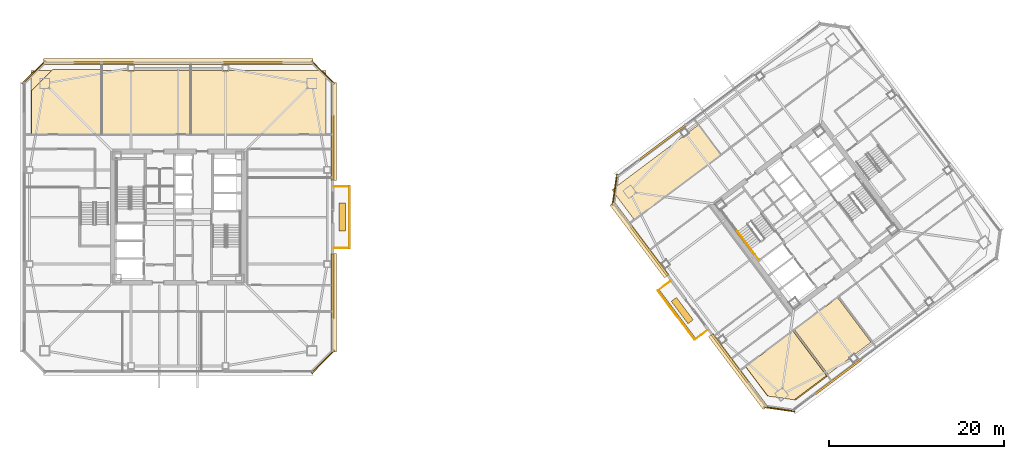
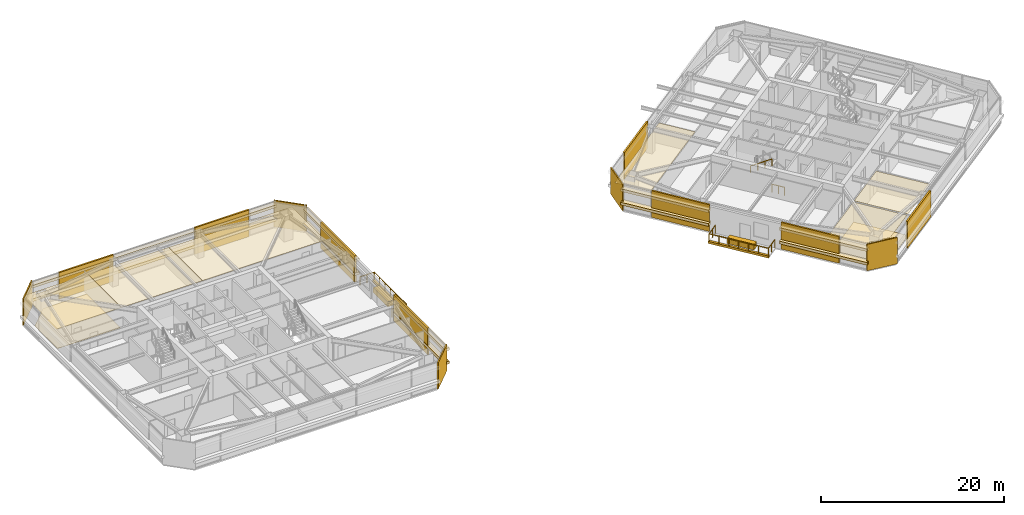
# One storey, part 38 of 41: 35 coverings, 8 railings.
"""IFC4 building model written with IfcOpenShell, lengths in metres."""

from ifc_helpers import new_model, si_unit, direction, frame, origin, origin_2d, place, context, subcontext, project, spatial, polyline, rectangle, outline, extrude, material, layer, layer_set, type_object, element, save


model = new_model("IFC4")

# Units and contexts
model_context = context("Model", 3, precision=1e-05, world=origin(), true_north=direction((0.0, 1.0)))
body_context = subcontext(model_context, "Body", "Model", "MODEL_VIEW")
ifc_project = project(units=[si_unit("LENGTHUNIT", "METRE"), si_unit("AREAUNIT", "SQUARE_METRE"), si_unit("VOLUMEUNIT", "CUBIC_METRE"), si_unit("PLANEANGLEUNIT", "RADIAN"), si_unit("MASSUNIT", "GRAM", prefix="KILO")], contexts=[model_context])

# Site, building, storey
site_placement = place(None, origin())
site = spatial("IfcSite", under=ifc_project, at=site_placement, CompositionType="ELEMENT")
building_placement = place(site_placement, origin())
building = spatial("IfcBuilding", under=site, at=building_placement, Name="Tashvorn Skyway Center", CompositionType="ELEMENT")
storey_placement = place(building_placement, frame((0.0, 0.0, 174.75)))
storey = spatial("IfcBuildingStorey", under=building, at=storey_placement, Name="L47", CompositionType="ELEMENT", Elevation=174.75)

# Coverings
ifc_material_1 = material(Name="Precast concrete C40/50", Category="concrete")
ifc_layer_1 = layer(ifc_material_1, 0.199951171875)
ifc_layer_set_1 = layer_set([ifc_layer_1], Name="Precast concrete C40/50")
covering_type_1 = type_object("IfcCoveringType", Name="COV-BRACE-CLAD", PredefinedType="CLADDING", material=ifc_layer_set_1)
for number, where, z_axis, x_axis, name in (
    (1, (33.45556640625, 49.679931640625, 0.0), (0.0, 0.0, 1.0), (1.0, 0.0, 0.0), "Tower 1 L47 North Unitised Curtain Wall Mega-Brace Cladding Band 1"),
    (2, (50.54443359375, 49.679931640625, 0.0), (0.0, 0.0, 1.0), (1.0, 0.0, 0.0), "Tower 1 L47 North Unitised Curtain Wall Mega-Brace Cladding Band 2"),
):
    element("IfcCovering", number, at=place(storey_placement, frame(where, z_axis=z_axis, x_axis=x_axis)), inside=storey, type_object=covering_type_1, Name=name, PredefinedType="CLADDING", context=body_context, shape_type="SweptSolid", body=[
        extrude(rectangle(XDim=6.83544921875, YDim=0.199951171875, at=origin_2d()), origin(), (0.0, 0.0, 1.0), 3.550048828125),
    ])
for number, where, z_axis, x_axis, name in (
    (3, (59.679931640625, 39.9599609375, 0.0), (0.0, 0.0, 1.0), (0.0, -1.0, 0.0), "Tower 1 L47 East Curtain Wall L Mega-Brace Cladding Band 1"),
    (4, (59.679931640625, 24.0400390625, 0.0), (0.0, 0.0, 1.0), (0.0, -1.0, 0.0), "Tower 1 L47 East Curtain Wall R Mega-Brace Cladding Band 1"),
):
    element("IfcCovering", number, at=place(storey_placement, frame(where, z_axis=z_axis, x_axis=x_axis)), inside=storey, type_object=covering_type_1, Name=name, PredefinedType="CLADDING", context=body_context, shape_type="SweptSolid", body=[
        extrude(rectangle(XDim=7.419921875, YDim=0.199951171875, at=origin_2d()), origin(), (0.0, 0.0, 1.0), 3.550048828125),
    ])
covering_1_placement = place(storey_placement, frame((117.587890625, 13.716064453125, 0.0), z_axis=(0.0, 0.0, 1.0), x_axis=(-0.799999996291, -0.600000004945, 0.0)))
element("IfcCovering", 5, at=covering_1_placement, inside=storey, type_object=covering_type_1, Name="Tower 2 L47 South Unitised Curtain Wall Mega-Brace Cladding Band 2", PredefinedType="CLADDING", context=body_context, shape_type="SweptSolid", body=[
    extrude(rectangle(XDim=6.47998046875, YDim=0.199951171875, at=origin_2d()), origin(), (0.0, 0.0, 1.0), 3.550048828125),
])
for number, where, z_axis, x_axis, name in (
    (6, (105.19189453125, 15.77734375, 0.0), (0.0, 0.0, 1.0), (-0.600000004945, 0.799999996291, 0.0), "Tower 2 L47 West Curtain Wall L Mega-Brace Cladding Band 1"),
    (7, (95.9599609375, 28.086669921875, 0.0), (0.0, 0.0, 1.0), (-0.600000004945, 0.799999996291, 0.0), "Tower 2 L47 West Curtain Wall R Mega-Brace Cladding Band 1"),
):
    element("IfcCovering", number, at=place(storey_placement, frame(where, z_axis=z_axis, x_axis=x_axis)), inside=storey, type_object=covering_type_1, Name=name, PredefinedType="CLADDING", context=body_context, shape_type="SweptSolid", body=[
        extrude(rectangle(XDim=6.88671875, YDim=0.199951171875, at=origin_2d()), origin(), (0.0, 0.0, 1.0), 3.550048828125),
    ])
covering_2_placement = place(storey_placement, frame((97.451904296875, 40.56396484375, 0.0), z_axis=(0.0, 0.0, 1.0), x_axis=(0.799999996291, 0.600000004945, 0.0)))
element("IfcCovering", 8, at=covering_2_placement, inside=storey, type_object=covering_type_1, Name="Tower 2 L47 North Unitised Curtain Wall Mega-Brace Cladding Band 1", PredefinedType="CLADDING", context=body_context, shape_type="SweptSolid", body=[
    extrude(rectangle(XDim=6.47998046875, YDim=0.199951171875, at=origin_2d()), origin(), (0.0, 0.0, 1.0), 3.550048828125),
])
ifc_material_2 = material(Name="Mineral-fibre acoustic ceiling tile on suspended grid")
ifc_layer_2 = layer(ifc_material_2, 0.02001953125)
ifc_layer_set_2 = layer_set([ifc_layer_2], Name="Mineral-fibre acoustic ceiling tile on suspended grid")
covering_type_2 = type_object("IfcCoveringType", Name="COV-CEIL-20", PredefinedType="CEILING", material=ifc_layer_set_2)
covering_3_placement = place(storey_placement, frame((0.0, 0.0, 2.702880859375)))
element("IfcCovering", 9, at=covering_3_placement, inside=storey, type_object=covering_type_2, Name="Tower 1 L47 Executive Suite Acoustic Ceiling", PredefinedType="CEILING", context=body_context, shape_type="SweptSolid", body=[
    extrude(outline(polyline([(25.10009765625, 41.449951171875), (33.199951171875, 41.449951171875), (33.199951171875, 48.800048828125), (25.10009765625, 48.800048828125), (25.10009765625, 41.449951171875)])), origin(), (0.0, 0.0, 1.0), 0.02001953125),
])
covering_4_placement = place(storey_placement, frame((0.0, 0.0, 2.702880859375)))
element("IfcCovering", 10, at=covering_4_placement, inside=storey, type_object=covering_type_2, Name="Tower 1 L47 Executive Suite Acoustic Ceiling", PredefinedType="CEILING", context=body_context, shape_type="SweptSolid", body=[
    extrude(outline(polyline([(33.199951171875, 41.449951171875), (43.39990234375, 41.449951171875), (43.39990234375, 48.800048828125), (33.199951171875, 48.800048828125), (33.199951171875, 41.449951171875)])), origin(), (0.0, 0.0, 1.0), 0.02001953125),
])
covering_5_placement = place(storey_placement, frame((0.0, 0.0, 2.702880859375)))
element("IfcCovering", 11, at=covering_5_placement, inside=storey, type_object=covering_type_2, Name="Tower 1 L47 Corporate Office Acoustic Ceiling", PredefinedType="CEILING", context=body_context, shape_type="SweptSolid", body=[
    extrude(outline(polyline([(43.39990234375, 41.449951171875), (58.89990234375, 41.449951171875), (58.89990234375, 48.800048828125), (43.39990234375, 48.800048828125), (43.39990234375, 41.449951171875)])), origin(), (0.0, 0.0, 1.0), 0.02001953125),
])
covering_6_placement = place(storey_placement, frame((0.0, 0.0, 2.702880859375)))
element("IfcCovering", 12, at=covering_6_placement, inside=storey, type_object=covering_type_2, Name="Tower 2 L47 Executive Study Lounge Acoustic Ceiling", PredefinedType="CEILING", context=body_context, shape_type="SweptSolid", body=[
    extrude(outline(polyline([(94.22802734375, 31.696044921875), (104.14794921875, 39.135986328125), (101.580078125, 42.56005859375), (91.659912109375, 35.1201171875), (94.22802734375, 31.696044921875)])), origin(), (0.0, 0.0, 1.0), 0.02001953125),
])
covering_7_placement = place(storey_placement, frame((0.0, 0.0, 2.702880859375)))
element("IfcCovering", 13, at=covering_7_placement, inside=storey, type_object=covering_type_2, Name="Tower 2 L47 Executive Study Lounge Acoustic Ceiling", PredefinedType="CEILING", context=body_context, shape_type="SweptSolid", body=[
    extrude(outline(polyline([(106.989990234375, 14.8798828125), (112.39794921875, 18.93603515625), (116.23193359375, 13.823974609375), (112.552001953125, 11.06396484375), (109.528076171875, 11.49609375), (106.989990234375, 14.8798828125)])), origin(), (0.0, 0.0, 1.0), 0.02001953125),
])
covering_8_placement = place(storey_placement, frame((0.0, 0.0, 2.702880859375)))
element("IfcCovering", 14, at=covering_8_placement, inside=storey, type_object=covering_type_2, Name="Tower 2 L47 Collaborative Studio Acoustic Ceiling", PredefinedType="CEILING", context=body_context, shape_type="SweptSolid", body=[
    extrude(outline(polyline([(112.590087890625, 19.080078125), (117.51806640625, 22.77587890625), (121.35205078125, 17.6640625), (116.424072265625, 13.968017578125), (112.590087890625, 19.080078125)])), origin(), (0.0, 0.0, 1.0), 0.02001953125),
])
ifc_material_3 = material(Name="Polished Mojave desert-aggregate terrazzo and cover plate")
ifc_layer_3 = layer(ifc_material_3, 0.0400390625)
ifc_layer_set_3 = layer_set([ifc_layer_3], Name="Polished Mojave desert-aggregate terrazzo and cover plate")
covering_type_3 = type_object("IfcCoveringType", Name="COV-FLR-40", PredefinedType="FLOORING", material=ifc_layer_set_3)
covering_9_placement = place(storey_placement, origin())
element("IfcCovering", 15, at=covering_9_placement, inside=storey, type_object=covering_type_3, Name="Tower 1 L47 Executive Suite Finish Flooring", PredefinedType="FLOORING", context=body_context, shape_type="SweptSolid", body=[
    extrude(outline(polyline([(33.1201171875, 41.530029296875), (25.179931640625, 41.530029296875), (25.179931640625, 46.47998046875), (27.60009765625, 48.89990234375), (33.1201171875, 48.89990234375), (33.1201171875, 41.530029296875)])), origin(), (0.0, 0.0, 1.0), 0.0400390625),
])
covering_10_placement = place(storey_placement, origin())
element("IfcCovering", 16, at=covering_10_placement, inside=storey, type_object=covering_type_3, Name="Tower 2 L47 Executive Study Lounge Finish Flooring", PredefinedType="FLOORING", context=body_context, shape_type="SweptSolid", body=[
    extrude(outline(polyline([(112.719970703125, 11.0400390625), (109.471923828125, 11.50390625), (106.98193359375, 14.823974609375), (112.4541015625, 18.927978515625), (116.3359375, 13.751953125), (112.719970703125, 11.0400390625)])), origin(), (0.0, 0.0, 1.0), 0.0400390625),
])
ifc_material_4 = material(Name="Perforated ceramic-coated bronze aluminium solar screen", Category="aluminium")
ifc_layer_4 = layer(ifc_material_4, 0.85009765625)
ifc_layer_set_4 = layer_set([ifc_layer_4], Name="Perforated ceramic-coated bronze aluminium solar screen")
covering_type_4 = type_object("IfcCoveringType", Name="COV-SOLAR-BAND", PredefinedType="CLADDING", material=ifc_layer_set_4)
for number, where, z_axis, x_axis, name in (
    (17, (42.0, 49.820068359375, 0.919921875), (0.0, 0.0, 1.0), (1.0, 0.0, 0.0), "L47 Perforated Ceramic-Metal Solar Screen Louvre Band North 1"),
    (18, (42.0, 49.820068359375, 2.7197265625), (0.0, 0.0, 1.0), (1.0, 0.0, 0.0), "L47 Perforated Ceramic-Metal Solar Screen Louvre Band North 2"),
):
    element("IfcCovering", number, at=place(storey_placement, frame(where, z_axis=z_axis, x_axis=x_axis)), inside=storey, type_object=covering_type_4, Name=name, PredefinedType="CLADDING", context=body_context, shape_type="SweptSolid", body=[
        extrude(rectangle(XDim=30.8798828125, YDim=0.639892578125, at=origin_2d()), origin(), (0.0, 0.0, 1.0), 0.360107421875),
    ])
for number, where, z_axis, x_axis, name in (
    (19, (59.820068359375, 41.81494140625, 0.919921875), (0.0, 0.0, 1.0), (0.0, -1.0, 0.0), "L47 Perforated Ceramic-Metal Solar Screen Louvre Band East 1"),
    (20, (59.820068359375, 41.81494140625, 2.7197265625), (0.0, 0.0, 1.0), (0.0, -1.0, 0.0), "L47 Perforated Ceramic-Metal Solar Screen Louvre Band East 2"),
    (21, (59.820068359375, 22.18505859375, 0.919921875), (0.0, 0.0, 1.0), (0.0, -1.0, 0.0), "L47 Perforated Ceramic-Metal Solar Screen Louvre Band East 1"),
    (22, (59.820068359375, 22.18505859375, 2.7197265625), (0.0, 0.0, 1.0), (0.0, -1.0, 0.0), "L47 Perforated Ceramic-Metal Solar Screen Louvre Band East 2"),
):
    element("IfcCovering", number, at=place(storey_placement, frame(where, z_axis=z_axis, x_axis=x_axis)), inside=storey, type_object=covering_type_4, Name=name, PredefinedType="CLADDING", context=body_context, shape_type="SweptSolid", body=[
        extrude(rectangle(XDim=11.25, YDim=0.639892578125, at=origin_2d()), origin(), (0.0, 0.0, 1.0), 0.360107421875),
    ])
for number, where, z_axis, x_axis, name in (
    (23, (106.113037109375, 14.31591796875, 0.919921875), (0.0, 0.0, 1.0), (-0.600000004945, 0.799999996291, 0.0), "L47 Perforated Ceramic-Metal Solar Screen Louvre Band West 1"),
    (24, (106.113037109375, 14.31591796875, 2.7197265625), (0.0, 0.0, 1.0), (-0.600000004945, 0.799999996291, 0.0), "L47 Perforated Ceramic-Metal Solar Screen Louvre Band West 2"),
    (25, (94.81494140625, 29.3798828125, 0.919921875), (0.0, 0.0, 1.0), (-0.600000004945, 0.799999996291, 0.0), "L47 Perforated Ceramic-Metal Solar Screen Louvre Band West 1"),
    (26, (94.81494140625, 29.3798828125, 2.7197265625), (0.0, 0.0, 1.0), (-0.600000004945, 0.799999996291, 0.0), "L47 Perforated Ceramic-Metal Solar Screen Louvre Band West 2"),
):
    element("IfcCovering", number, at=place(storey_placement, frame(where, z_axis=z_axis, x_axis=x_axis)), inside=storey, type_object=covering_type_4, Name=name, PredefinedType="CLADDING", context=body_context, shape_type="SweptSolid", body=[
        extrude(rectangle(XDim=10.449951171875, YDim=0.639892578125, at=origin_2d()), origin(), (0.0, 0.0, 1.0), 0.360107421875),
    ])
ifc_layer_5 = layer(ifc_material_1, 0.35009765625)
ifc_layer_set_5 = layer_set([ifc_layer_5], Name="Precast concrete C40/50")
covering_type_5 = type_object("IfcCoveringType", Name="COV-STONE-TRIM", PredefinedType="CLADDING", material=ifc_layer_set_5)
covering_11_placement = place(storey_placement, frame((61.56005859375, 32.0, -0.16015625), z_axis=(0.0, 0.0, 1.0), x_axis=(0.0, -1.0, 0.0)))
element("IfcCovering", 27, at=covering_11_placement, inside=storey, type_object=covering_type_5, Name="Tower 1 L47 Spiral Terrace Terracotta Fascia", PredefinedType="CLADDING", context=body_context, shape_type="SweptSolid", body=[
    extrude(rectangle(XDim=7.199951171875, YDim=0.280029296875, at=origin_2d()), origin(), (0.0, 0.0, 1.0), 0.280029296875),
])
covering_12_placement = place(storey_placement, frame((60.75, 32.0, 0.0), z_axis=(0.0, 0.0, 1.0), x_axis=(0.0, -1.0, 0.0)))
element("IfcCovering", 28, at=covering_12_placement, inside=storey, type_object=covering_type_5, Name="Tower 1 L47 Spiral Terrace Planter", PredefinedType="CLADDING", context=body_context, shape_type="SweptSolid", body=[
    extrude(rectangle(XDim=3.199951171875, YDim=0.75, at=origin_2d()), origin(), (0.0, 0.0, 1.0), 0.679931640625),
])
for number, where, z_axis, x_axis, name in (
    (29, (25.429931640625, 48.570068359375, 0.02001953125), (0.0, 0.0, 1.0), (-0.707106781187, -0.707106781187, 0.0), "Tower 1 L47 NW Mojave Limestone Corner Quoin"),
    (30, (58.570068359375, 48.570068359375, 0.02001953125), (0.0, 0.0, 1.0), (0.707106781187, -0.707106781187, 0.0), "Tower 1 L47 NE Mojave Limestone Corner Quoin"),
    (31, (58.570068359375, 15.429931640625, 0.02001953125), (0.0, 0.0, 1.0), (0.707106781187, 0.707106781187, 0.0), "Tower 1 L47 SE Mojave Limestone Corner Quoin"),
):
    element("IfcCovering", number, at=place(storey_placement, frame(where, z_axis=z_axis, x_axis=x_axis)), inside=storey, type_object=covering_type_5, Name=name, PredefinedType="CLADDING", context=body_context, shape_type="SweptSolid", body=[
        extrude(rectangle(XDim=3.695556640625, YDim=0.139892578125, at=origin_2d()), origin(), (0.0, 0.0, 1.0), 3.510009765625),
    ])
covering_13_placement = place(storey_placement, frame((99.072021484375, 20.803955078125, -0.16015625), z_axis=(0.0, 0.0, 1.0), x_axis=(-0.600000004945, 0.799999996291, 0.0)))
element("IfcCovering", 32, at=covering_13_placement, inside=storey, type_object=covering_type_5, Name="Tower 2 L47 Spiral Terrace Terracotta Fascia", PredefinedType="CLADDING", context=body_context, shape_type="SweptSolid", body=[
    extrude(rectangle(XDim=7.199951171875, YDim=0.280029296875, at=origin_2d()), origin(), (0.0, 0.0, 1.0), 0.280029296875),
])
covering_14_placement = place(storey_placement, frame((99.719970703125, 21.2900390625, 0.0), z_axis=(0.0, 0.0, 1.0), x_axis=(-0.600000004945, 0.799999996291, 0.0)))
element("IfcCovering", 33, at=covering_14_placement, inside=storey, type_object=covering_type_5, Name="Tower 2 L47 Spiral Terrace Planter", PredefinedType="CLADDING", context=body_context, shape_type="SweptSolid", body=[
    extrude(rectangle(XDim=3.199951171875, YDim=0.75, at=origin_2d()), origin(), (0.0, 0.0, 1.0), 0.679931640625),
])
for number, where, z_axis, x_axis, name in (
    (34, (110.85595703125, 9.991943359375, 0.02001953125), (0.0, 0.0, 1.0), (-0.989949494535, 0.141421350118, 0.0), "Tower 2 L47 SW Mojave Limestone Corner Quoin"),
    (35, (91.991943359375, 35.14404296875, 0.02001953125), (0.0, 0.0, 1.0), (-0.141421350118, -0.989949494535, 0.0), "Tower 2 L47 NW Mojave Limestone Corner Quoin"),
):
    element("IfcCovering", number, at=place(storey_placement, frame(where, z_axis=z_axis, x_axis=x_axis)), inside=storey, type_object=covering_type_5, Name=name, PredefinedType="CLADDING", context=body_context, shape_type="SweptSolid", body=[
        extrude(rectangle(XDim=3.55419921875, YDim=0.139892578125, at=origin_2d()), origin(), (0.0, 0.0, 1.0), 3.510009765625),
    ])

# Railings
ifc_material_5 = material(Name="Galvanized steel S355", Category="steel")
railing_type_1 = type_object("IfcRailingType", Name="RAIL-GUARD-1120", PredefinedType="GUARDRAIL", material=ifc_material_5)
railing_1_placement = place(storey_placement, frame((59.800048828125, 28.47998046875, 0.0)))
element("IfcRailing", 36, at=railing_1_placement, inside=storey, type_object=railing_type_1, Name="L47 Tower 1 Terrace Guardrail 01", PredefinedType="GUARDRAIL", context=body_context, shape_type="SweptSolid", body=[
    extrude(rectangle(XDim=0.048095703125, YDim=0.048095703125, at=origin_2d()), frame((0.0, 0.0, 1.09619140625), z_axis=(1.0, 0.0, 0.0), x_axis=(0.0, 1.0, 0.0)), (0.0, 0.0, 1.0), 1.820068359375),
    extrude(rectangle(XDim=0.0419921875, YDim=0.0419921875, at=origin_2d()), origin(), (0.0, 0.0, 1.0), 1.072021484375),
    extrude(rectangle(XDim=0.0419921875, YDim=0.0419921875, at=origin_2d()), frame((0.91015625, 0.0, 0.0)), (0.0, 0.0, 1.0), 1.072021484375),
    extrude(rectangle(XDim=0.0419921875, YDim=0.0419921875, at=origin_2d()), frame((1.820068359375, 0.0, 0.0)), (0.0, 0.0, 1.0), 1.072021484375),
])
railing_2_placement = place(storey_placement, frame((61.6201171875, 28.47998046875, 0.0)))
element("IfcRailing", 37, at=railing_2_placement, inside=storey, type_object=railing_type_1, Name="L47 Tower 1 Terrace Guardrail 02", PredefinedType="GUARDRAIL", context=body_context, shape_type="SweptSolid", body=[
    extrude(rectangle(XDim=0.048095703125, YDim=0.048095703125, at=origin_2d()), frame((0.0, 0.0, 1.09619140625), z_axis=(0.0, 1.0, 0.0), x_axis=(-1.0, 0.0, 0.0)), (0.0, 0.0, 1.0), 7.0400390625),
    extrude(rectangle(XDim=0.0419921875, YDim=0.0419921875, at=origin_2d()), origin(), (0.0, 0.0, 1.0), 1.072021484375),
    extrude(rectangle(XDim=0.0419921875, YDim=0.0419921875, at=origin_2d()), frame((0.0, 1.17333984375, 0.0)), (0.0, 0.0, 1.0), 1.072021484375),
    extrude(rectangle(XDim=0.0419921875, YDim=0.0419921875, at=origin_2d()), frame((0.0, 2.3466796875, 0.0)), (0.0, 0.0, 1.0), 1.072021484375),
    extrude(rectangle(XDim=0.0419921875, YDim=0.0419921875, at=origin_2d()), frame((0.0, 3.52001953125, 0.0)), (0.0, 0.0, 1.0), 1.072021484375),
    extrude(rectangle(XDim=0.0419921875, YDim=0.0419921875, at=origin_2d()), frame((0.0, 4.693359375, 0.0)), (0.0, 0.0, 1.0), 1.072021484375),
    extrude(rectangle(XDim=0.0419921875, YDim=0.0419921875, at=origin_2d()), frame((0.0, 5.86669921875, 0.0)), (0.0, 0.0, 1.0), 1.072021484375),
    extrude(rectangle(XDim=0.0419921875, YDim=0.0419921875, at=origin_2d()), frame((0.0, 7.0400390625, 0.0)), (0.0, 0.0, 1.0), 1.072021484375),
])
railing_3_placement = place(storey_placement, frame((61.6201171875, 35.52001953125, 0.0)))
element("IfcRailing", 38, at=railing_3_placement, inside=storey, type_object=railing_type_1, Name="L47 Tower 1 Terrace Guardrail 03", PredefinedType="GUARDRAIL", context=body_context, shape_type="SweptSolid", body=[
    extrude(rectangle(XDim=0.048095703125, YDim=0.048095703125, at=origin_2d()), frame((0.0, 0.0, 1.09619140625), z_axis=(-1.0, 0.0, 0.0), x_axis=(0.0, -1.0, 0.0)), (0.0, 0.0, 1.0), 1.820068359375),
    extrude(rectangle(XDim=0.0419921875, YDim=0.0419921875, at=origin_2d()), origin(), (0.0, 0.0, 1.0), 1.072021484375),
    extrude(rectangle(XDim=0.0419921875, YDim=0.0419921875, at=origin_2d()), frame((-0.91015625, 0.0, 0.0)), (0.0, 0.0, 1.0), 1.072021484375),
    extrude(rectangle(XDim=0.0419921875, YDim=0.0419921875, at=origin_2d()), frame((-1.820068359375, 0.0, 0.0)), (0.0, 0.0, 1.0), 1.072021484375),
])
railing_4_placement = place(storey_placement, frame((102.592041015625, 19.0439453125, 0.0)))
element("IfcRailing", 39, at=railing_4_placement, inside=storey, type_object=railing_type_1, Name="L47 Tower 2 Terrace Guardrail 01", PredefinedType="GUARDRAIL", context=body_context, shape_type="SweptSolid", body=[
    extrude(rectangle(XDim=0.048095703125, YDim=0.048095703125, at=origin_2d()), frame((0.0, 0.0, 1.09619140625), z_axis=(-0.8, -0.6, 0.0), x_axis=(0.6, -0.8, 0.0)), (0.0, 0.0, 1.0), 1.820068359375),
    extrude(rectangle(XDim=0.0419921875, YDim=0.0419921875, at=origin_2d()), origin(), (0.0, 0.0, 1.0), 1.072021484375),
    extrude(rectangle(XDim=0.0419921875, YDim=0.0419921875, at=origin_2d()), frame((-0.72802734375, -0.5458984375, 0.0)), (0.0, 0.0, 1.0), 1.072021484375),
    extrude(rectangle(XDim=0.0419921875, YDim=0.0419921875, at=origin_2d()), frame((-1.4560546875, -1.092041015625, 0.0)), (0.0, 0.0, 1.0), 1.072021484375),
])
railing_5_placement = place(storey_placement, frame((101.135986328125, 17.951904296875, 0.0)))
element("IfcRailing", 40, at=railing_5_placement, inside=storey, type_object=railing_type_1, Name="L47 Tower 2 Terrace Guardrail 02", PredefinedType="GUARDRAIL", context=body_context, shape_type="SweptSolid", body=[
    extrude(rectangle(XDim=0.048095703125, YDim=0.048095703125, at=origin_2d()), frame((0.0, 0.0, 1.09619140625), z_axis=(-0.599983353895, 0.800012484308, 0.0), x_axis=(-0.800012484308, -0.599983353895, 0.0)), (0.0, 0.0, 1.0), 7.0400390625),
    extrude(rectangle(XDim=0.0419921875, YDim=0.0419921875, at=origin_2d()), origin(), (0.0, 0.0, 1.0), 1.072021484375),
    extrude(rectangle(XDim=0.0419921875, YDim=0.0419921875, at=origin_2d()), frame((-0.7041015625, 0.938720703125, 0.0)), (0.0, 0.0, 1.0), 1.072021484375),
    extrude(rectangle(XDim=0.0419921875, YDim=0.0419921875, at=origin_2d()), frame((-1.407958984375, 1.87744140625, 0.0)), (0.0, 0.0, 1.0), 1.072021484375),
    extrude(rectangle(XDim=0.0419921875, YDim=0.0419921875, at=origin_2d()), frame((-2.11181640625, 2.81591796875, 0.0)), (0.0, 0.0, 1.0), 1.072021484375),
    extrude(rectangle(XDim=0.0419921875, YDim=0.0419921875, at=origin_2d()), frame((-2.81591796875, 3.754638671875, 0.0)), (0.0, 0.0, 1.0), 1.072021484375),
    extrude(rectangle(XDim=0.0419921875, YDim=0.0419921875, at=origin_2d()), frame((-3.52001953125, 4.693359375, 0.0)), (0.0, 0.0, 1.0), 1.072021484375),
    extrude(rectangle(XDim=0.0419921875, YDim=0.0419921875, at=origin_2d()), frame((-4.223876953125, 5.632080078125, 0.0)), (0.0, 0.0, 1.0), 1.072021484375),
])
railing_6_placement = place(storey_placement, frame((96.912109375, 23.583984375, 0.0)))
element("IfcRailing", 41, at=railing_6_placement, inside=storey, type_object=railing_type_1, Name="L47 Tower 2 Terrace Guardrail 03", PredefinedType="GUARDRAIL", context=body_context, shape_type="SweptSolid", body=[
    extrude(rectangle(XDim=0.048095703125, YDim=0.048095703125, at=origin_2d()), frame((0.0, 0.0, 1.09619140625), z_axis=(0.799951702488, 0.600064391284, 0.0), x_axis=(-0.600064391284, 0.799951702488, 0.0)), (0.0, 0.0, 1.0), 1.81982421875),
    extrude(rectangle(XDim=0.0419921875, YDim=0.0419921875, at=origin_2d()), origin(), (0.0, 0.0, 1.0), 1.072021484375),
    extrude(rectangle(XDim=0.0419921875, YDim=0.0419921875, at=origin_2d()), frame((0.72802734375, 0.5458984375, 0.0)), (0.0, 0.0, 1.0), 1.072021484375),
    extrude(rectangle(XDim=0.0419921875, YDim=0.0419921875, at=origin_2d()), frame((1.455810546875, 1.092041015625, 0.0)), (0.0, 0.0, 1.0), 1.072021484375),
])
ifc_material_6 = material(Name="Brushed stainless steel 316", Category="steel")
railing_type_2 = type_object("IfcRailingType", Name="RAIL-HAND-920", PredefinedType="HANDRAIL", material=ifc_material_6)
railing_7_placement = place(storey_placement, frame((106.072021484375, 30.35400390625, 1.952392578125)))
element("IfcRailing", 42, at=railing_7_placement, inside=storey, type_object=railing_type_2, Name="L47 ST-T2-1 stair handrail 2", PredefinedType="HANDRAIL", context=body_context, shape_type="SweptSolid", body=[
    extrude(rectangle(XDim=0.048095703125, YDim=0.048095703125, at=origin_2d()), frame((0.0, 0.0, 0.8759765625), z_axis=(0.506718600913, -0.675679348675, 0.535437836974), x_axis=(0.800023250257, 0.599968998406, 0.0)), (0.0, 0.0, 1.0), 2.98388671875),
    extrude(rectangle(XDim=0.0419921875, YDim=0.0419921875, at=origin_2d()), origin(), (0.0, 0.0, 1.0), 0.851806640625),
    extrude(rectangle(XDim=0.0419921875, YDim=0.0419921875, at=origin_2d()), frame((0.50390625, -0.672119140625, 0.532470703125)), (0.0, 0.0, 1.0), 0.851806640625),
    extrude(rectangle(XDim=0.0419921875, YDim=0.0419921875, at=origin_2d()), frame((1.008056640625, -1.343994140625, 1.065185546875)), (0.0, 0.0, 1.0), 0.851806640625),
    extrude(rectangle(XDim=0.0419921875, YDim=0.0419921875, at=origin_2d()), frame((1.511962890625, -2.01611328125, 1.59765625)), (0.0, 0.0, 1.0), 0.851806640625),
])
ifc_material_7 = material(Name="Painted galvanized steel S355", Category="steel")
railing_type_3 = type_object("IfcRailingType", Name="RAIL-STGUARD-1100", PredefinedType="GUARDRAIL", material=ifc_material_7)
railing_8_placement = place(storey_placement, frame((108.49609375, 27.1220703125, 0.0)))
element("IfcRailing", 43, at=railing_8_placement, inside=storey, type_object=railing_type_3, Name="L47 ST-T2-1 stair guard 6", PredefinedType="GUARDRAIL", context=body_context, shape_type="SweptSolid", body=[
    extrude(rectangle(XDim=0.048095703125, YDim=0.048095703125, at=origin_2d()), frame((0.0, 0.0, 1.076171875), z_axis=(-0.600102796382, 0.799922892393, 0.0), x_axis=(-0.799922892393, -0.600102796382, 0.0)), (0.0, 0.0, 1.0), 1.52001953125),
    extrude(rectangle(XDim=0.0419921875, YDim=0.0419921875, at=origin_2d()), origin(), (0.0, 0.0, 1.0), 1.052001953125),
    extrude(rectangle(XDim=0.0419921875, YDim=0.0419921875, at=origin_2d()), frame((-0.4560546875, 0.60791015625, 0.0)), (0.0, 0.0, 1.0), 1.052001953125),
    extrude(rectangle(XDim=0.0419921875, YDim=0.0419921875, at=origin_2d()), frame((-0.912109375, 1.2158203125, 0.0)), (0.0, 0.0, 1.0), 1.052001953125),
])

save(model, "model.ifc")
